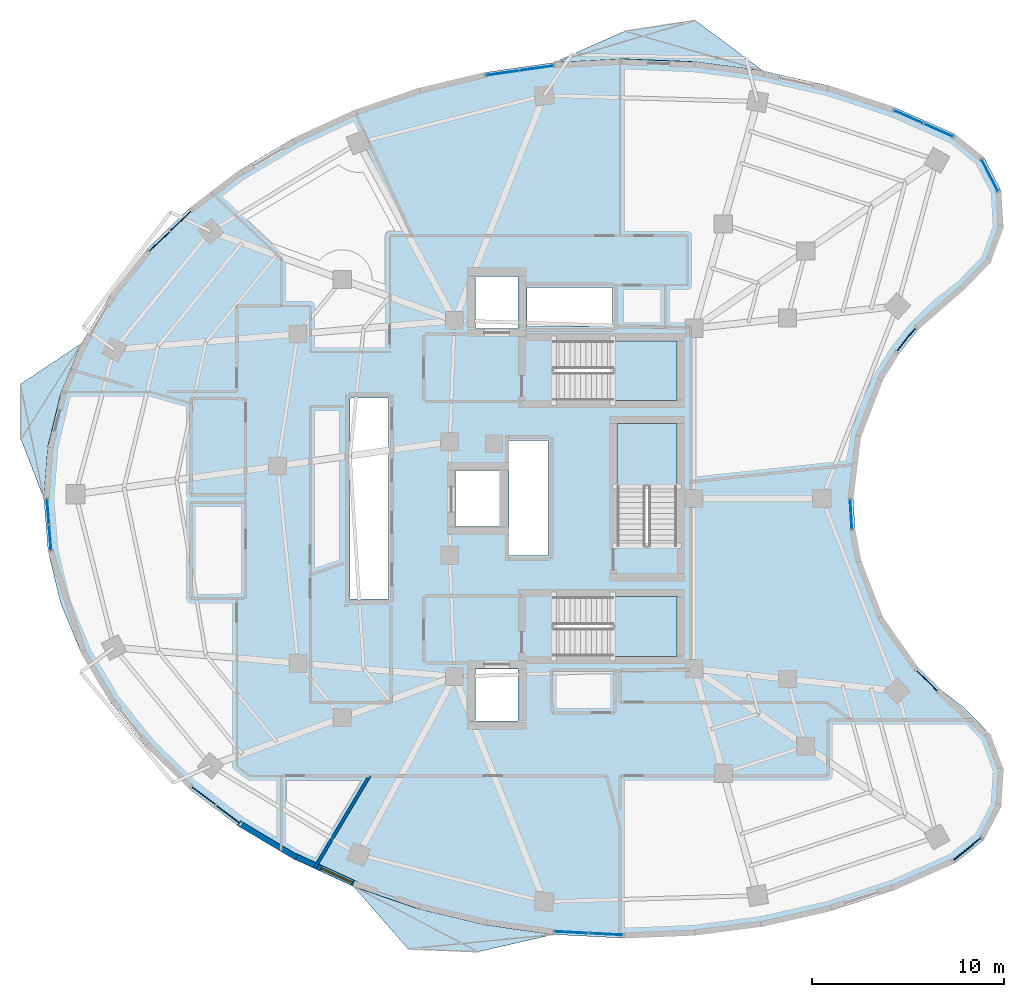
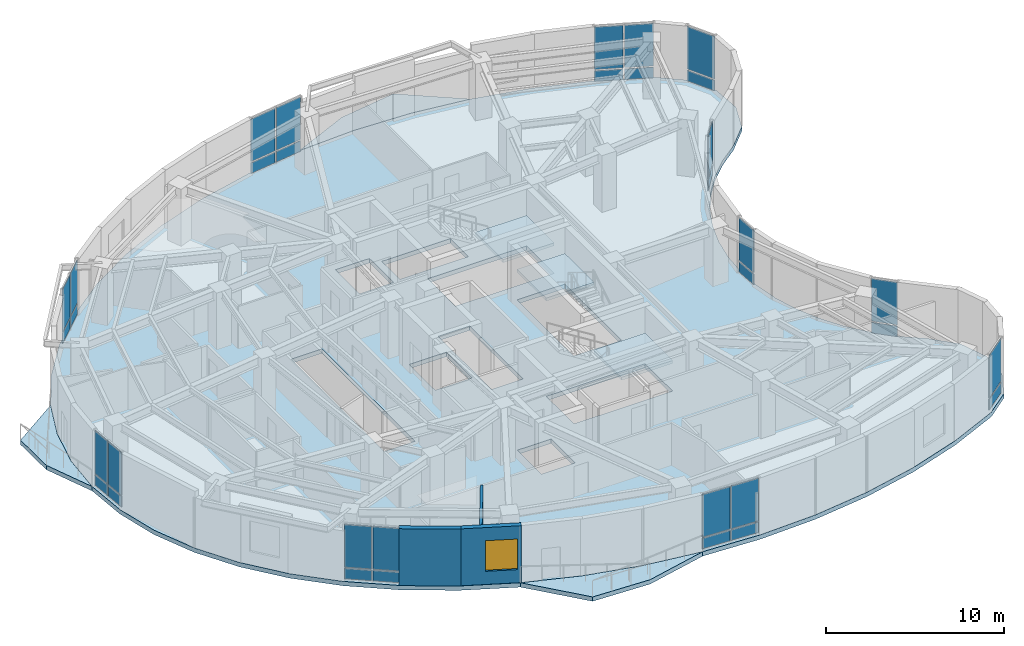
# One storey, part 7 of 14: 34 plates, 7 slabs, 3 walls, 1 window, 1 opening, 14 elements without a shape of their own.
"""IFC4 building model written with IfcOpenShell, lengths in metres."""

from ifc_helpers import new_model, si_unit, direction, frame, frame_2d, origin, origin_2d, place, context, subcontext, project, spatial, polyline, rectangle, outline, extrude, material, layer, layer_set, type_object, element, fill, aggregate, save


model = new_model("IFC4")

# Units and contexts
model_context = context("Model", 3, precision=1e-05, world=origin(), true_north=direction((0.0, 1.0)))
body_context = subcontext(model_context, "Body", "Model", "MODEL_VIEW")
ifc_project = project(units=[si_unit("LENGTHUNIT", "METRE"), si_unit("AREAUNIT", "SQUARE_METRE"), si_unit("VOLUMEUNIT", "CUBIC_METRE"), si_unit("PLANEANGLEUNIT", "RADIAN"), si_unit("MASSUNIT", "GRAM", prefix="KILO")], contexts=[model_context])

# Site, building, storey
site_placement = place(None, origin())
site = spatial("IfcSite", under=ifc_project, at=site_placement, CompositionType="ELEMENT")
building_placement = place(site_placement, origin())
building = spatial("IfcBuilding", under=site, at=building_placement, Name="Korentha Bioscience Tower", CompositionType="ELEMENT")
storey_placement = place(building_placement, frame((0.0, 0.0, 231.0)))
storey = spatial("IfcBuildingStorey", under=building, at=storey_placement, Name="L53", CompositionType="ELEMENT", Elevation=231.0)

# Curtain wall, plates
ifc_material_1 = material(Name="Thermally Broken Aluminium Frame", Category="aluminium")
ifc_layer_1 = layer(ifc_material_1, 0.219970703125, Name="Thermally Broken Aluminium Frame")
ifc_layer_set_1 = layer_set([ifc_layer_1], Name="Thermally Broken Aluminium Frame (CW-T1)")
curtain_wall_type = type_object("IfcCurtainWallType", Name="Standard Bioscience Lab Unitised Curtain Wall CW-T1", PredefinedType="USERDEFINED", material=ifc_layer_set_1)
curtain_wall_1_placement = place(storey_placement, origin())
curtain_wall_1 = element("IfcCurtainWall", 1, at=curtain_wall_1_placement, inside=storey, type_object=curtain_wall_type, Name="L53 Curtain Wall 01", ObjectType="UNITISED", PredefinedType="USERDEFINED")
ifc_material_2 = material(Name="Triple-Glazed Low-E Insulated Glass", Category="glass")
ifc_layer_2 = layer(ifc_material_2, 0.0439453125, Name="Triple-Glazed Low-E Insulated Glass")
ifc_layer_set_2 = layer_set([ifc_layer_2], Name="Triple-Glazed Low-E Insulated Glass (GL-44)")
plate_type = type_object("IfcPlateType", Name="Glazed Panel 44mm", PredefinedType="CURTAIN_PANEL", material=ifc_layer_set_2)
plate_1_placement = place(storey_placement, frame((50.25537109375, 46.142822265625, 0.08984375), z_axis=(0.0, 0.0, 1.0), x_axis=(-0.913943941578, 0.405840450983, 0.0)))
plate_1 = element("IfcPlate", 2, at=plate_1_placement, type_object=plate_type, Name="CW-L53-01 Bay 1 Glazed Panel 1", PredefinedType="CURTAIN_PANEL", context=body_context, shape_type="SweptSolid", body=[
    extrude(rectangle(XDim=1.624267578125, YDim=0.0439453125, at=origin_2d()), origin(), (0.0, 0.0, 1.0), 0.715087890625),
])
plate_2_placement = place(storey_placement, frame((50.25537109375, 46.142822265625, 0.89501953125), z_axis=(0.0, 0.0, 1.0), x_axis=(-0.913943941578, 0.405840450983, 0.0)))
plate_2 = element("IfcPlate", 3, at=plate_2_placement, type_object=plate_type, Name="CW-L53-01 Bay 1 Glazed Panel 2", PredefinedType="CURTAIN_PANEL", context=body_context, shape_type="SweptSolid", body=[
    extrude(rectangle(XDim=1.624267578125, YDim=0.0439453125, at=origin_2d()), origin(), (0.0, 0.0, 1.0), 2.9150390625),
])
plate_3_placement = place(storey_placement, frame((48.688720703125, 46.838623046875, 0.08984375), z_axis=(0.0, 0.0, 1.0), x_axis=(-0.913943941578, 0.405840450983, 0.0)))
plate_3 = element("IfcPlate", 4, at=plate_3_placement, type_object=plate_type, Name="CW-L53-01 Bay 2 Glazed Panel 1", PredefinedType="CURTAIN_PANEL", context=body_context, shape_type="SweptSolid", body=[
    extrude(rectangle(XDim=1.624267578125, YDim=0.0439453125, at=origin_2d()), origin(), (0.0, 0.0, 1.0), 0.715087890625),
])
plate_4_placement = place(storey_placement, frame((48.688720703125, 46.838623046875, 0.89501953125), z_axis=(0.0, 0.0, 1.0), x_axis=(-0.913943941578, 0.405840450983, 0.0)))
plate_4 = element("IfcPlate", 5, at=plate_4_placement, type_object=plate_type, Name="CW-L53-01 Bay 2 Glazed Panel 2", PredefinedType="CURTAIN_PANEL", context=body_context, shape_type="SweptSolid", body=[
    extrude(rectangle(XDim=1.624267578125, YDim=0.0439453125, at=origin_2d()), origin(), (0.0, 0.0, 1.0), 2.9150390625),
])
aggregate(curtain_wall_1, [plate_1, plate_2, plate_3, plate_4])

curtain_wall_2_placement = place(storey_placement, origin())
curtain_wall_2 = element("IfcCurtainWall", 6, at=curtain_wall_2_placement, inside=storey, type_object=curtain_wall_type, Name="L53 Curtain Wall 07", ObjectType="UNITISED", PredefinedType="USERDEFINED")
plate_5_placement = place(storey_placement, frame((29.373779296875, 49.370849609375, 0.08984375), z_axis=(0.0, 0.0, 1.0), x_axis=(-0.989901889134, -0.141754188259, 0.0)))
plate_5 = element("IfcPlate", 7, at=plate_5_placement, type_object=plate_type, Name="CW-L53-07 Bay 1 Glazed Panel 1", PredefinedType="CURTAIN_PANEL", context=body_context, shape_type="SweptSolid", body=[
    extrude(rectangle(XDim=1.7158203125, YDim=0.0439453125, at=origin_2d()), origin(), (0.0, 0.0, 1.0), 0.715087890625),
])
plate_6_placement = place(storey_placement, frame((29.373779296875, 49.370849609375, 0.89501953125), z_axis=(0.0, 0.0, 1.0), x_axis=(-0.989901889134, -0.141754188259, 0.0)))
plate_6 = element("IfcPlate", 8, at=plate_6_placement, type_object=plate_type, Name="CW-L53-07 Bay 1 Glazed Panel 2", PredefinedType="CURTAIN_PANEL", context=body_context, shape_type="SweptSolid", body=[
    extrude(rectangle(XDim=1.7158203125, YDim=0.0439453125, at=origin_2d()), origin(), (0.0, 0.0, 1.0), 2.9150390625),
])
plate_7_placement = place(storey_placement, frame((27.586181640625, 49.114990234375, 0.08984375), z_axis=(0.0, 0.0, 1.0), x_axis=(-0.989901889134, -0.141754188259, 0.0)))
plate_7 = element("IfcPlate", 9, at=plate_7_placement, type_object=plate_type, Name="CW-L53-07 Bay 2 Glazed Panel 1", PredefinedType="CURTAIN_PANEL", context=body_context, shape_type="SweptSolid", body=[
    extrude(rectangle(XDim=1.7158203125, YDim=0.0439453125, at=origin_2d()), origin(), (0.0, 0.0, 1.0), 0.715087890625),
])
plate_8_placement = place(storey_placement, frame((27.586181640625, 49.114990234375, 0.89501953125), z_axis=(0.0, 0.0, 1.0), x_axis=(-0.989901889134, -0.141754188259, 0.0)))
plate_8 = element("IfcPlate", 10, at=plate_8_placement, type_object=plate_type, Name="CW-L53-07 Bay 2 Glazed Panel 2", PredefinedType="CURTAIN_PANEL", context=body_context, shape_type="SweptSolid", body=[
    extrude(rectangle(XDim=1.7158203125, YDim=0.0439453125, at=origin_2d()), origin(), (0.0, 0.0, 1.0), 2.9150390625),
])
aggregate(curtain_wall_2, [plate_5, plate_6, plate_7, plate_8])

curtain_wall_3_placement = place(storey_placement, origin())
curtain_wall_3 = element("IfcCurtainWall", 11, at=curtain_wall_3_placement, inside=storey, type_object=curtain_wall_type, Name="L53 Curtain Wall 13", ObjectType="UNITISED", PredefinedType="USERDEFINED")
plate_9_placement = place(storey_placement, frame((10.87158203125, 41.42919921875, 0.08984375), z_axis=(0.0, 0.0, 1.0), x_axis=(-0.719000359175, -0.695009700297, 0.0)))
plate_9 = element("IfcPlate", 12, at=plate_9_placement, type_object=plate_type, Name="CW-L53-13 Bay 1 Glazed Panel 1", PredefinedType="CURTAIN_PANEL", context=body_context, shape_type="SweptSolid", body=[
    extrude(rectangle(XDim=1.46337890625, YDim=0.0439453125, at=origin_2d()), origin(), (0.0, 0.0, 1.0), 0.715087890625),
])
plate_10_placement = place(storey_placement, frame((10.87158203125, 41.42919921875, 0.89501953125), z_axis=(0.0, 0.0, 1.0), x_axis=(-0.719000359175, -0.695009700297, 0.0)))
plate_10 = element("IfcPlate", 13, at=plate_10_placement, type_object=plate_type, Name="CW-L53-13 Bay 1 Glazed Panel 2", PredefinedType="CURTAIN_PANEL", context=body_context, shape_type="SweptSolid", body=[
    extrude(rectangle(XDim=1.46337890625, YDim=0.0439453125, at=origin_2d()), origin(), (0.0, 0.0, 1.0), 2.9150390625),
])
plate_11_placement = place(storey_placement, frame((9.754638671875, 40.349609375, 0.08984375), z_axis=(0.0, 0.0, 1.0), x_axis=(-0.719000359175, -0.695009700297, 0.0)))
plate_11 = element("IfcPlate", 14, at=plate_11_placement, type_object=plate_type, Name="CW-L53-13 Bay 2 Glazed Panel 1", PredefinedType="CURTAIN_PANEL", context=body_context, shape_type="SweptSolid", body=[
    extrude(rectangle(XDim=1.46337890625, YDim=0.0439453125, at=origin_2d()), origin(), (0.0, 0.0, 1.0), 0.715087890625),
])
plate_12_placement = place(storey_placement, frame((9.754638671875, 40.349609375, 0.89501953125), z_axis=(0.0, 0.0, 1.0), x_axis=(-0.719000359175, -0.695009700297, 0.0)))
plate_12 = element("IfcPlate", 15, at=plate_12_placement, type_object=plate_type, Name="CW-L53-13 Bay 2 Glazed Panel 2", PredefinedType="CURTAIN_PANEL", context=body_context, shape_type="SweptSolid", body=[
    extrude(rectangle(XDim=1.46337890625, YDim=0.0439453125, at=origin_2d()), origin(), (0.0, 0.0, 1.0), 2.9150390625),
])
aggregate(curtain_wall_3, [plate_9, plate_10, plate_11, plate_12])

curtain_wall_4_placement = place(storey_placement, origin())
curtain_wall_4 = element("IfcCurtainWall", 16, at=curtain_wall_4_placement, inside=storey, type_object=curtain_wall_type, Name="L53 Curtain Wall 19", ObjectType="UNITISED", PredefinedType="USERDEFINED")
plate_13_placement = place(storey_placement, frame((3.971435546875, 26.3251953125, 0.08984375), z_axis=(0.0, 0.0, 1.0), x_axis=(0.07974803224, -0.996815053736, 0.0)))
plate_13 = element("IfcPlate", 17, at=plate_13_placement, type_object=plate_type, Name="CW-L53-19 Bay 1 Glazed Panel 1", PredefinedType="CURTAIN_PANEL", context=body_context, shape_type="SweptSolid", body=[
    extrude(rectangle(XDim=1.279541015625, YDim=0.0439453125, at=origin_2d()), origin(), (0.0, 0.0, 1.0), 0.715087890625),
])
plate_14_placement = place(storey_placement, frame((3.971435546875, 26.3251953125, 0.89501953125), z_axis=(0.0, 0.0, 1.0), x_axis=(0.07974803224, -0.996815053736, 0.0)))
plate_14 = element("IfcPlate", 18, at=plate_14_placement, type_object=plate_type, Name="CW-L53-19 Bay 1 Glazed Panel 2", PredefinedType="CURTAIN_PANEL", context=body_context, shape_type="SweptSolid", body=[
    extrude(rectangle(XDim=1.279541015625, YDim=0.0439453125, at=origin_2d()), origin(), (0.0, 0.0, 1.0), 2.9150390625),
])
plate_15_placement = place(storey_placement, frame((4.080810546875, 24.960205078125, 0.08984375), z_axis=(0.0, 0.0, 1.0), x_axis=(0.07974803224, -0.996815053736, 0.0)))
plate_15 = element("IfcPlate", 19, at=plate_15_placement, type_object=plate_type, Name="CW-L53-19 Bay 2 Glazed Panel 1", PredefinedType="CURTAIN_PANEL", context=body_context, shape_type="SweptSolid", body=[
    extrude(rectangle(XDim=1.279541015625, YDim=0.0439453125, at=origin_2d()), origin(), (0.0, 0.0, 1.0), 0.715087890625),
])
plate_16_placement = place(storey_placement, frame((4.080810546875, 24.960205078125, 0.89501953125), z_axis=(0.0, 0.0, 1.0), x_axis=(0.07974803224, -0.996815053736, 0.0)))
plate_16 = element("IfcPlate", 20, at=plate_16_placement, type_object=plate_type, Name="CW-L53-19 Bay 2 Glazed Panel 2", PredefinedType="CURTAIN_PANEL", context=body_context, shape_type="SweptSolid", body=[
    extrude(rectangle(XDim=1.279541015625, YDim=0.0439453125, at=origin_2d()), origin(), (0.0, 0.0, 1.0), 2.9150390625),
])
aggregate(curtain_wall_4, [plate_13, plate_14, plate_15, plate_16])

curtain_wall_5_placement = place(storey_placement, origin())
curtain_wall_5 = element("IfcCurtainWall", 21, at=curtain_wall_5_placement, inside=storey, type_object=curtain_wall_type, Name="L53 Curtain Wall 25", ObjectType="UNITISED", PredefinedType="USERDEFINED")
plate_17_placement = place(storey_placement, frame((12.063720703125, 11.55126953125, 0.08984375), z_axis=(0.0, 0.0, 1.0), x_axis=(0.796889131105, -0.604125576951, 0.0)))
plate_17 = element("IfcPlate", 22, at=plate_17_placement, type_object=plate_type, Name="CW-L53-25 Bay 1 Glazed Panel 1", PredefinedType="CURTAIN_PANEL", context=body_context, shape_type="SweptSolid", body=[
    extrude(rectangle(XDim=1.517822265625, YDim=0.0439453125, at=origin_2d()), origin(), (0.0, 0.0, 1.0), 0.715087890625),
])
plate_18_placement = place(storey_placement, frame((12.063720703125, 11.55126953125, 0.89501953125), z_axis=(0.0, 0.0, 1.0), x_axis=(0.796889131105, -0.604125576951, 0.0)))
plate_18 = element("IfcPlate", 23, at=plate_18_placement, type_object=plate_type, Name="CW-L53-25 Bay 1 Glazed Panel 2", PredefinedType="CURTAIN_PANEL", context=body_context, shape_type="SweptSolid", body=[
    extrude(rectangle(XDim=1.517822265625, YDim=0.0439453125, at=origin_2d()), origin(), (0.0, 0.0, 1.0), 2.9150390625),
])
plate_19_placement = place(storey_placement, frame((13.344970703125, 10.579833984375, 0.08984375), z_axis=(0.0, 0.0, 1.0), x_axis=(0.796889131105, -0.604125576951, 0.0)))
plate_19 = element("IfcPlate", 24, at=plate_19_placement, type_object=plate_type, Name="CW-L53-25 Bay 2 Glazed Panel 1", PredefinedType="CURTAIN_PANEL", context=body_context, shape_type="SweptSolid", body=[
    extrude(rectangle(XDim=1.517822265625, YDim=0.0439453125, at=origin_2d()), origin(), (0.0, 0.0, 1.0), 0.715087890625),
])
plate_20_placement = place(storey_placement, frame((13.344970703125, 10.579833984375, 0.89501953125), z_axis=(0.0, 0.0, 1.0), x_axis=(0.796889131105, -0.604125576951, 0.0)))
plate_20 = element("IfcPlate", 25, at=plate_20_placement, type_object=plate_type, Name="CW-L53-25 Bay 2 Glazed Panel 2", PredefinedType="CURTAIN_PANEL", context=body_context, shape_type="SweptSolid", body=[
    extrude(rectangle(XDim=1.517822265625, YDim=0.0439453125, at=origin_2d()), origin(), (0.0, 0.0, 1.0), 2.9150390625),
])
aggregate(curtain_wall_5, [plate_17, plate_18, plate_19, plate_20])

curtain_wall_6_placement = place(storey_placement, origin())
curtain_wall_6 = element("IfcCurtainWall", 26, at=curtain_wall_6_placement, inside=storey, type_object=curtain_wall_type, Name="L53 Curtain Wall 31", ObjectType="UNITISED", PredefinedType="USERDEFINED")
plate_21_placement = place(storey_placement, frame((31.170654296875, 4.455078125, 0.08984375), z_axis=(0.0, 0.0, 1.0), x_axis=(0.998695818107, -0.051055488397, 0.0)))
plate_21 = element("IfcPlate", 27, at=plate_21_placement, type_object=plate_type, Name="CW-L53-31 Bay 1 Glazed Panel 1", PredefinedType="CURTAIN_PANEL", context=body_context, shape_type="SweptSolid", body=[
    extrude(rectangle(XDim=1.727783203125, YDim=0.0439453125, at=origin_2d()), origin(), (0.0, 0.0, 1.0), 0.715087890625),
])
plate_22_placement = place(storey_placement, frame((31.170654296875, 4.455078125, 0.89501953125), z_axis=(0.0, 0.0, 1.0), x_axis=(0.998695818107, -0.051055488397, 0.0)))
plate_22 = element("IfcPlate", 28, at=plate_22_placement, type_object=plate_type, Name="CW-L53-31 Bay 1 Glazed Panel 2", PredefinedType="CURTAIN_PANEL", context=body_context, shape_type="SweptSolid", body=[
    extrude(rectangle(XDim=1.727783203125, YDim=0.0439453125, at=origin_2d()), origin(), (0.0, 0.0, 1.0), 2.9150390625),
])
plate_23_placement = place(storey_placement, frame((32.98583984375, 4.3623046875, 0.08984375), z_axis=(0.0, 0.0, 1.0), x_axis=(0.998695818107, -0.051055488397, 0.0)))
plate_23 = element("IfcPlate", 29, at=plate_23_placement, type_object=plate_type, Name="CW-L53-31 Bay 2 Glazed Panel 1", PredefinedType="CURTAIN_PANEL", context=body_context, shape_type="SweptSolid", body=[
    extrude(rectangle(XDim=1.727783203125, YDim=0.0439453125, at=origin_2d()), origin(), (0.0, 0.0, 1.0), 0.715087890625),
])
plate_24_placement = place(storey_placement, frame((32.98583984375, 4.3623046875, 0.89501953125), z_axis=(0.0, 0.0, 1.0), x_axis=(0.998695818107, -0.051055488397, 0.0)))
plate_24 = element("IfcPlate", 30, at=plate_24_placement, type_object=plate_type, Name="CW-L53-31 Bay 2 Glazed Panel 2", PredefinedType="CURTAIN_PANEL", context=body_context, shape_type="SweptSolid", body=[
    extrude(rectangle(XDim=1.727783203125, YDim=0.0439453125, at=origin_2d()), origin(), (0.0, 0.0, 1.0), 2.9150390625),
])
aggregate(curtain_wall_6, [plate_21, plate_22, plate_23, plate_24])

curtain_wall_7_placement = place(storey_placement, origin())
curtain_wall_7 = element("IfcCurtainWall", 31, at=curtain_wall_7_placement, inside=storey, type_object=curtain_wall_type, Name="L53 Curtain Wall 37", ObjectType="UNITISED", PredefinedType="USERDEFINED")
plate_25_placement = place(storey_placement, frame((51.76025390625, 8.790771484375, 0.08984375), z_axis=(0.0, 0.0, 1.0), x_axis=(0.779197616162, 0.626778330008, 0.0)))
plate_25 = element("IfcPlate", 32, at=plate_25_placement, type_object=plate_type, Name="CW-L53-37 Bay 1 Glazed Panel 1", PredefinedType="CURTAIN_PANEL", context=body_context, shape_type="SweptSolid", body=[
    extrude(rectangle(XDim=1.83154296875, YDim=0.0439453125, at=origin_2d()), origin(), (0.0, 0.0, 1.0), 0.715087890625),
])
plate_26_placement = place(storey_placement, frame((51.76025390625, 8.790771484375, 0.89501953125), z_axis=(0.0, 0.0, 1.0), x_axis=(0.779197616162, 0.626778330008, 0.0)))
plate_26 = element("IfcPlate", 33, at=plate_26_placement, type_object=plate_type, Name="CW-L53-37 Bay 1 Glazed Panel 2", PredefinedType="CURTAIN_PANEL", context=body_context, shape_type="SweptSolid", body=[
    extrude(rectangle(XDim=1.83154296875, YDim=0.0439453125, at=origin_2d()), origin(), (0.0, 0.0, 1.0), 2.9150390625),
])
aggregate(curtain_wall_7, [plate_25, plate_26])

curtain_wall_8_placement = place(storey_placement, origin())
curtain_wall_8 = element("IfcCurtainWall", 34, at=curtain_wall_8_placement, inside=storey, type_object=curtain_wall_type, Name="L53 Curtain Wall 43", ObjectType="UNITISED", PredefinedType="USERDEFINED")
plate_27_placement = place(storey_placement, frame((49.651611328125, 17.537109375, 0.08984375), z_axis=(0.0, 0.0, 1.0), x_axis=(-0.713258270268, 0.700901305388, 0.0)))
plate_27 = element("IfcPlate", 35, at=plate_27_placement, type_object=plate_type, Name="CW-L53-43 Bay 1 Glazed Panel 1", PredefinedType="CURTAIN_PANEL", context=body_context, shape_type="SweptSolid", body=[
    extrude(rectangle(XDim=1.50341796875, YDim=0.0439453125, at=origin_2d()), origin(), (0.0, 0.0, 1.0), 0.715087890625),
])
plate_28_placement = place(storey_placement, frame((49.651611328125, 17.537109375, 0.89501953125), z_axis=(0.0, 0.0, 1.0), x_axis=(-0.713258270268, 0.700901305388, 0.0)))
plate_28 = element("IfcPlate", 36, at=plate_28_placement, type_object=plate_type, Name="CW-L53-43 Bay 1 Glazed Panel 2", PredefinedType="CURTAIN_PANEL", context=body_context, shape_type="SweptSolid", body=[
    extrude(rectangle(XDim=1.50341796875, YDim=0.0439453125, at=origin_2d()), origin(), (0.0, 0.0, 1.0), 2.9150390625),
])
aggregate(curtain_wall_8, [plate_27, plate_28])

curtain_wall_9_placement = place(storey_placement, origin())
curtain_wall_9 = element("IfcCurtainWall", 37, at=curtain_wall_9_placement, inside=storey, type_object=curtain_wall_type, Name="L53 Curtain Wall 49", ObjectType="UNITISED", PredefinedType="USERDEFINED")
plate_29_placement = place(storey_placement, frame((45.708251953125, 26.190185546875, 0.08984375), z_axis=(0.0, 0.0, 1.0), x_axis=(-0.06095424178, 0.998140561449, 0.0)))
plate_29 = element("IfcPlate", 38, at=plate_29_placement, type_object=plate_type, Name="CW-L53-49 Bay 1 Glazed Panel 1", PredefinedType="CURTAIN_PANEL", context=body_context, shape_type="SweptSolid", body=[
    extrude(rectangle(XDim=1.503173828125, YDim=0.0439453125, at=origin_2d()), origin(), (0.0, 0.0, 1.0), 0.715087890625),
])
plate_30_placement = place(storey_placement, frame((45.708251953125, 26.190185546875, 0.89501953125), z_axis=(0.0, 0.0, 1.0), x_axis=(-0.06095424178, 0.998140561449, 0.0)))
plate_30 = element("IfcPlate", 39, at=plate_30_placement, type_object=plate_type, Name="CW-L53-49 Bay 1 Glazed Panel 2", PredefinedType="CURTAIN_PANEL", context=body_context, shape_type="SweptSolid", body=[
    extrude(rectangle(XDim=1.503173828125, YDim=0.0439453125, at=origin_2d()), origin(), (0.0, 0.0, 1.0), 2.9150390625),
])
aggregate(curtain_wall_9, [plate_29, plate_30])

curtain_wall_10_placement = place(storey_placement, origin())
curtain_wall_10 = element("IfcCurtainWall", 40, at=curtain_wall_10_placement, inside=storey, type_object=curtain_wall_type, Name="L53 Curtain Wall 55", ObjectType="UNITISED", PredefinedType="USERDEFINED")
plate_31_placement = place(storey_placement, frame((48.567626953125, 35.259033203125, 0.08984375), z_axis=(0.0, 0.0, 1.0), x_axis=(0.622511989066, 0.782610262819, 0.0)))
plate_31 = element("IfcPlate", 41, at=plate_31_placement, type_object=plate_type, Name="CW-L53-55 Bay 1 Glazed Panel 1", PredefinedType="CURTAIN_PANEL", context=body_context, shape_type="SweptSolid", body=[
    extrude(rectangle(XDim=1.50341796875, YDim=0.0439453125, at=origin_2d()), origin(), (0.0, 0.0, 1.0), 0.715087890625),
])
plate_32_placement = place(storey_placement, frame((48.567626953125, 35.259033203125, 0.89501953125), z_axis=(0.0, 0.0, 1.0), x_axis=(0.622511989066, 0.782610262819, 0.0)))
plate_32 = element("IfcPlate", 42, at=plate_32_placement, type_object=plate_type, Name="CW-L53-55 Bay 1 Glazed Panel 2", PredefinedType="CURTAIN_PANEL", context=body_context, shape_type="SweptSolid", body=[
    extrude(rectangle(XDim=1.50341796875, YDim=0.0439453125, at=origin_2d()), origin(), (0.0, 0.0, 1.0), 2.9150390625),
])
aggregate(curtain_wall_10, [plate_31, plate_32])

curtain_wall_11_placement = place(storey_placement, origin())
curtain_wall_11 = element("IfcCurtainWall", 43, at=curtain_wall_11_placement, inside=storey, type_object=curtain_wall_type, Name="L53 Curtain Wall 61", ObjectType="UNITISED", PredefinedType="USERDEFINED")
plate_33_placement = place(storey_placement, frame((52.914794921875, 43.79736328125, 0.08984375), z_axis=(0.0, 0.0, 1.0), x_axis=(-0.459738031963, 0.888054582763, 0.0)))
plate_33 = element("IfcPlate", 44, at=plate_33_placement, type_object=plate_type, Name="CW-L53-61 Bay 1 Glazed Panel 1", PredefinedType="CURTAIN_PANEL", context=body_context, shape_type="SweptSolid", body=[
    extrude(rectangle(XDim=1.831298828125, YDim=0.0439453125, at=origin_2d()), origin(), (0.0, 0.0, 1.0), 0.715087890625),
])
plate_34_placement = place(storey_placement, frame((52.914794921875, 43.79736328125, 0.89501953125), z_axis=(0.0, 0.0, 1.0), x_axis=(-0.459738031963, 0.888054582763, 0.0)))
plate_34 = element("IfcPlate", 45, at=plate_34_placement, type_object=plate_type, Name="CW-L53-61 Bay 1 Glazed Panel 2", PredefinedType="CURTAIN_PANEL", context=body_context, shape_type="SweptSolid", body=[
    extrude(rectangle(XDim=1.831298828125, YDim=0.0439453125, at=origin_2d()), origin(), (0.0, 0.0, 1.0), 2.9150390625),
])
aggregate(curtain_wall_11, [plate_33, plate_34])

# Slab
ifc_material_3 = material(Name="Concrete C50", Category="concrete")
ifc_layer_3 = layer(ifc_material_3, 0.300048828125, Name="Concrete C50")
ifc_layer_set_3 = layer_set([ifc_layer_3], Name="Concrete C50 (SL-L300)")
slab_type_1 = type_object("IfcSlabType", Name="Laboratory Vibration-Controlled Slab 300", PredefinedType="FLOOR", material=ifc_layer_set_3)
slab_1_placement = place(storey_placement, frame((0.0, 0.0, -0.300048828125)))
element("IfcSlab", 46, at=slab_1_placement, inside=storey, type_object=slab_type_1, Name="L53 Tower Structural Floor Slab", PredefinedType="FLOOR", context=body_context, shape_type="SweptSolid", body=[
    extrude(outline(polyline([(51.108154296875, 45.939208984375), (47.9658203125, 47.334716796875), (44.623291015625, 48.4365234375), (41.129638671875, 49.22900390625), (37.53466796875, 49.700439453125), (33.890380859375, 49.843994140625), (30.249755859375, 49.657958984375), (26.664794921875, 49.14453125), (23.187744140625, 48.3115234375), (19.86865234375, 47.1708984375), (16.75537109375, 45.73876953125), (13.892822265625, 44.0361328125), (11.322509765625, 42.087646484375), (9.081298828125, 39.921142578125), (7.201904296875, 37.568115234375), (5.711181640625, 35.0625), (4.630859375, 32.440673828125), (3.976318359375, 29.739990234375), (3.757080078125, 27.0), (3.976318359375, 24.260009765625), (4.630859375, 21.559326171875), (5.711181640625, 18.9375), (7.201904296875, 16.431884765625), (9.081298828125, 14.078857421875), (11.322509765625, 11.912353515625), (13.892822265625, 9.9638671875), (16.75537109375, 8.26123046875), (19.86865234375, 6.8291015625), (23.187744140625, 5.6884765625), (26.664794921875, 4.85546875), (30.249755859375, 4.342041015625), (33.890380859375, 4.156005859375), (37.53466796875, 4.299560546875), (41.129638671875, 4.77099609375), (44.623291015625, 5.5634765625), (47.9658203125, 6.665283203125), (51.108154296875, 8.060791015625), (52.613037109375, 9.271484375), (53.5009765625, 10.986572265625), (53.62060546875, 12.914306640625), (52.951416015625, 14.72607421875), (51.607421875, 16.11328125), (50.33544921875, 17.08935546875), (49.19189453125, 18.213134765625), (48.19384765625, 19.468017578125), (47.35595703125, 20.8349609375), (46.691162109375, 22.2939453125), (46.208984375, 23.8232421875), (45.916748046875, 25.399658203125), (45.819091796875, 27.0), (45.916748046875, 28.600341796875), (46.208984375, 30.1767578125), (46.691162109375, 31.7060546875), (47.35595703125, 33.1650390625), (48.19384765625, 34.531982421875), (49.19189453125, 35.786865234375), (50.33544921875, 36.91064453125), (51.607421875, 37.88671875), (52.951416015625, 39.27392578125), (53.62060546875, 41.085693359375), (53.5009765625, 43.013427734375), (52.613037109375, 44.728515625), (51.108154296875, 45.939208984375)]), holes=[polyline([(30.25, 32.10009765625), (36.64990234375, 32.10009765625), (36.64990234375, 35.199951171875), (30.25, 35.199951171875), (30.25, 32.10009765625)]), polyline([(30.25, 18.800048828125), (36.64990234375, 18.800048828125), (36.64990234375, 21.89990234375), (30.25, 21.89990234375), (30.25, 18.800048828125)]), polyline([(36.64990234375, 24.550048828125), (36.64990234375, 30.89990234375), (33.550048828125, 30.89990234375), (33.550048828125, 24.550048828125), (36.64990234375, 24.550048828125)]), polyline([(19.679931640625, 21.780029296875), (21.669921875, 21.780029296875), (21.669921875, 32.219970703125), (19.679931640625, 32.219970703125), (19.679931640625, 21.780029296875)]), polyline([(27.929931640625, 24.030029296875), (29.969970703125, 24.030029296875), (29.969970703125, 30.02001953125), (27.929931640625, 30.02001953125), (27.929931640625, 24.030029296875)]), polyline([(28.860107421875, 35.93994140625), (33.31005859375, 35.93994140625), (33.31005859375, 37.9599609375), (28.860107421875, 37.9599609375), (28.860107421875, 35.93994140625)]), polyline([(26.199951171875, 15.449951171875), (28.39990234375, 15.449951171875), (28.39990234375, 18.14990234375), (26.199951171875, 18.14990234375), (26.199951171875, 15.449951171875)]), polyline([(26.199951171875, 35.85009765625), (28.39990234375, 35.85009765625), (28.39990234375, 38.550048828125), (26.199951171875, 38.550048828125), (26.199951171875, 35.85009765625)]), polyline([(25.14990234375, 25.550048828125), (27.550048828125, 25.550048828125), (27.550048828125, 28.449951171875), (25.14990234375, 28.449951171875), (25.14990234375, 25.550048828125)])]), origin(), (0.0, 0.0, 1.0), 0.300048828125),
])

# Stair, slab
ifc_material_4 = material(Name="Precast Concrete C50", Category="concrete")
stair_type = type_object("IfcStairType", Name="Core Exit Dog-Leg Stair 1450", PredefinedType="HALF_TURN_STAIR", material=ifc_material_4)
stair_1_placement = place(storey_placement, origin())
stair_1 = element("IfcStair", 47, at=stair_1_placement, inside=storey, type_object=stair_type, Name="L53 Tower North Pressurized Exit Stair ST-1", PredefinedType="HALF_TURN_STAIR")
ifc_layer_4 = layer(ifc_material_3, 0.199951171875, Name="Concrete C50")
ifc_layer_set_4 = layer_set([ifc_layer_4], Name="Concrete C50 (SL-LND)")
slab_type_2 = type_object("IfcSlabType", Name="Landing Slab 200", PredefinedType="LANDING", material=ifc_layer_set_4)
slab_2_placement = place(storey_placement, frame((0.0, 0.0, 1.89990234375)))
slab_2 = element("IfcSlab", 48, at=slab_2_placement, type_object=slab_type_2, Name="ST-1 landing 1", PredefinedType="LANDING", context=body_context, shape_type="SweptSolid", body=[
    extrude(outline(polyline([(33.330078125, 32.10009765625), (36.64990234375, 32.10009765625), (36.64990234375, 35.199951171875), (33.330078125, 35.199951171875), (33.330078125, 32.10009765625)])), origin(), (0.0, 0.0, 1.0), 0.2001953125),
])
aggregate(stair_1, [slab_2])

stair_2_placement = place(storey_placement, origin())
stair_2 = element("IfcStair", 49, at=stair_2_placement, inside=storey, type_object=stair_type, Name="L53 Tower South Pressurized Exit Stair ST-2", PredefinedType="HALF_TURN_STAIR")
slab_3_placement = place(storey_placement, frame((0.0, 0.0, 1.89990234375)))
slab_3 = element("IfcSlab", 50, at=slab_3_placement, type_object=slab_type_2, Name="ST-2 landing 1", PredefinedType="LANDING", context=body_context, shape_type="SweptSolid", body=[
    extrude(outline(polyline([(33.330078125, 18.800048828125), (36.64990234375, 18.800048828125), (36.64990234375, 21.89990234375), (33.330078125, 21.89990234375), (33.330078125, 18.800048828125)])), origin(), (0.0, 0.0, 1.0), 0.2001953125),
])
aggregate(stair_2, [slab_3])

stair_3_placement = place(storey_placement, origin())
stair_3 = element("IfcStair", 51, at=stair_3_placement, inside=storey, type_object=stair_type, Name="L53 Tower Central Pressurized Exit Stair ST-3", PredefinedType="HALF_TURN_STAIR")
slab_4_placement = place(storey_placement, frame((0.0, 0.0, 1.89990234375)))
slab_4 = element("IfcSlab", 52, at=slab_4_placement, type_object=slab_type_2, Name="ST-3 landing 1", PredefinedType="LANDING", context=body_context, shape_type="SweptSolid", body=[
    extrude(outline(polyline([(36.64990234375, 27.6298828125), (36.64990234375, 30.89990234375), (33.550048828125, 30.89990234375), (33.550048828125, 27.6298828125), (36.64990234375, 27.6298828125)])), origin(), (0.0, 0.0, 1.0), 0.2001953125),
])
aggregate(stair_3, [slab_4])

# Slabs
ifc_layer_5 = layer(ifc_material_3, 0.300048828125, Name="Concrete C50")
ifc_layer_set_5 = layer_set([ifc_layer_5], Name="Concrete C50 (BS-240)")
slab_type_3 = type_object("IfcSlabType", Name="Sawtooth Sun-Ledge Balcony Slab 240", PredefinedType="USERDEFINED", material=ifc_layer_set_5)
slab_5_placement = place(storey_placement, frame((0.0, 0.0, -0.300048828125)))
element("IfcSlab", 53, at=slab_5_placement, inside=storey, type_object=slab_type_3, Name="L53 Sun-Ledge Balcony 01", ObjectType="BALCONY", PredefinedType="USERDEFINED", context=body_context, shape_type="SweptSolid", body=[
    extrude(outline(polyline([(30.249755859375, 49.657958984375), (33.890380859375, 49.843994140625), (37.53466796875, 49.700439453125), (41.129638671875, 49.22900390625), (37.619384765625, 51.8486328125), (33.947509765625, 51.29296875), (30.249755859375, 49.657958984375)])), origin(), (0.0, 0.0, 1.0), 0.300048828125),
])
slab_6_placement = place(storey_placement, frame((0.0, 0.0, -0.300048828125)))
element("IfcSlab", 54, at=slab_6_placement, inside=storey, type_object=slab_type_3, Name="L53 Sun-Ledge Balcony 02", ObjectType="BALCONY", PredefinedType="USERDEFINED", context=body_context, shape_type="SweptSolid", body=[
    extrude(outline(polyline([(3.757080078125, 27.0), (3.976318359375, 29.739990234375), (4.630859375, 32.440673828125), (5.711181640625, 35.0625), (2.541259765625, 32.947021484375), (2.56689453125, 30.081787109375), (3.757080078125, 27.0)])), origin(), (0.0, 0.0, 1.0), 0.300048828125),
])
slab_7_placement = place(storey_placement, frame((0.0, 0.0, -0.300048828125)))
element("IfcSlab", 55, at=slab_7_placement, inside=storey, type_object=slab_type_3, Name="L53 Sun-Ledge Balcony 03", ObjectType="BALCONY", PredefinedType="USERDEFINED", context=body_context, shape_type="SweptSolid", body=[
    extrude(outline(polyline([(30.249755859375, 4.342041015625), (26.664794921875, 4.85546875), (23.187744140625, 5.6884765625), (19.86865234375, 6.8291015625), (22.68701171875, 3.59765625), (26.326904296875, 3.4453125), (30.249755859375, 4.342041015625)])), origin(), (0.0, 0.0, 1.0), 0.300048828125),
])

# Wall
ifc_material_5 = material(Name="Gypsum-Clad Steel Stud", Category="steel")
ifc_layer_6 = layer(ifc_material_5, 0.159912109375, Name="Gypsum-Clad Steel Stud")
ifc_layer_set_6 = layer_set([ifc_layer_6], Name="Gypsum-Clad Steel Stud (IW-C160)")
wall_type_1 = type_object("IfcWallType", Name="Fire-Rated Corridor Partition Wall 160", PredefinedType="PARTITIONING", material=ifc_layer_set_6)
wall_1_placement = place(storey_placement, frame((20.687744140625, 12.590087890625, 0.0), z_axis=(0.0, 0.0, 1.0), x_axis=(-0.512038498428, -0.858962499838, 0.0)))
element("IfcWall", 56, at=wall_1_placement, inside=storey, type_object=wall_type_1, Name="L53 Interior Partition 041", PredefinedType="PARTITIONING", context=body_context, shape_type="SweptSolid", body=[
    extrude(rectangle(XDim=5.586181640625, YDim=0.159912109375, at=frame_2d((2.79296875, 0.0))), origin(), (0.0, 0.0, 1.0), 2.909912109375),
])

# Wall, opening, window
ifc_material_6 = material(Name="Honed Limestone Precast Concrete C40", Category="masonry")
ifc_layer_7 = layer(ifc_material_6, 0.300048828125, Name="Honed Limestone Precast Concrete C40")
ifc_layer_set_7 = layer_set([ifc_layer_7], Name="Honed Limestone Precast Concrete C40 (EW-ST300)")
wall_type_2 = type_object("IfcWallType", Name="Honed Limestone Cavity Spandrel Wall 300", PredefinedType="STANDARD", material=ifc_layer_set_7)
wall_2_placement = place(storey_placement, frame((16.767578125, 8.431884765625, 0.0), z_axis=(0.0, 0.0, 1.0), x_axis=(0.908478431596, -0.41793174003, 0.0)))
wall_2 = element("IfcWall", 57, at=wall_2_placement, inside=storey, type_object=wall_type_2, Name="L53 Honed Limestone Spandrel Wall 27", PredefinedType="STANDARD", context=body_context, shape_type="SweptSolid", body=[
    extrude(rectangle(XDim=3.547119140625, YDim=0.300048828125, at=frame_2d((1.7734375, 0.0))), origin(), (0.0, 0.0, 1.0), 3.89990234375),
])
opening_placement = place(wall_2_placement, frame((1.53369140625, 0.0, 0.89990234375)))
opening = element("IfcOpeningElement", 58, at=opening_placement, cuts=wall_2, Name="Opening WN-01", PredefinedType="OPENING", context=body_context, shape_type="SweptSolid", body=[
    extrude(rectangle(XDim=1.800048828125, YDim=2.10009765625, at=frame_2d((0.89990234375, 1.050048828125))), frame((0.0, 0.1650390625, 0.0), z_axis=(0.0, -1.0, 0.0), x_axis=(1.0, 0.0, 0.0)), (0.0, 0.0, 1.0), 0.329833984375),
])
ifc_material_7 = material(Name="Thermally Broken Aluminium Triple Glazing", Category="aluminium")
window_type = type_object("IfcWindowType", Name="Triple-Glazed Fixed Bioscience Window 1800x2100", PartitioningType="SINGLE_PANEL", PredefinedType="WINDOW", material=ifc_material_7)
window_placement = place(opening_placement, origin())
window = element("IfcWindow", 59, at=window_placement, inside=storey, type_object=window_type, Name="L53 Facade Window 27", OverallHeight=2.10009765625, OverallWidth=1.800048828125, PartitioningType="SINGLE_PANEL", PredefinedType="WINDOW", context=body_context, shape_type="SweptSolid", body=[
    extrude(rectangle(XDim=1.800048828125, YDim=2.10009765625, at=frame_2d((0.89990234375, 1.050048828125))), frame((0.0, 0.030029296875, 0.0), z_axis=(0.0, -1.0, 0.0), x_axis=(1.0, 0.0, 0.0)), (0.0, 0.0, 1.0), 0.06005859375),
])
fill(opening, window)

# Wall
wall_3_placement = place(storey_placement, frame((13.895751953125, 10.125, 0.0), z_axis=(0.0, 0.0, 1.0), x_axis=(0.859467780744, -0.511189919563, 0.0)))
element("IfcWall", 60, at=wall_3_placement, inside=storey, type_object=wall_type_2, Name="L53 Limestone Perimeter Closure Wall 26", PredefinedType="STANDARD", context=body_context, shape_type="SweptSolid", body=[
    extrude(rectangle(XDim=3.490234375, YDim=0.300048828125, at=frame_2d((1.7451171875, 0.0))), origin(), (0.0, 0.0, 1.0), 3.89990234375),
])

save(model, "model.ifc")
